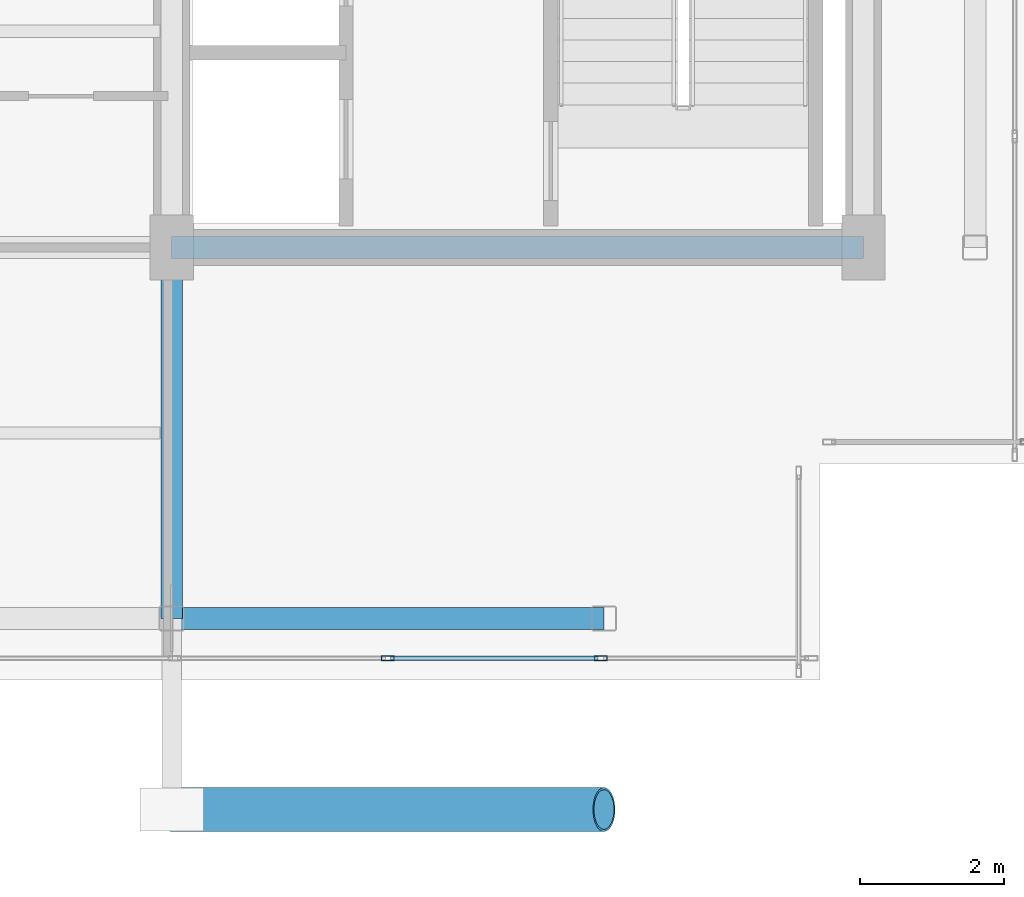
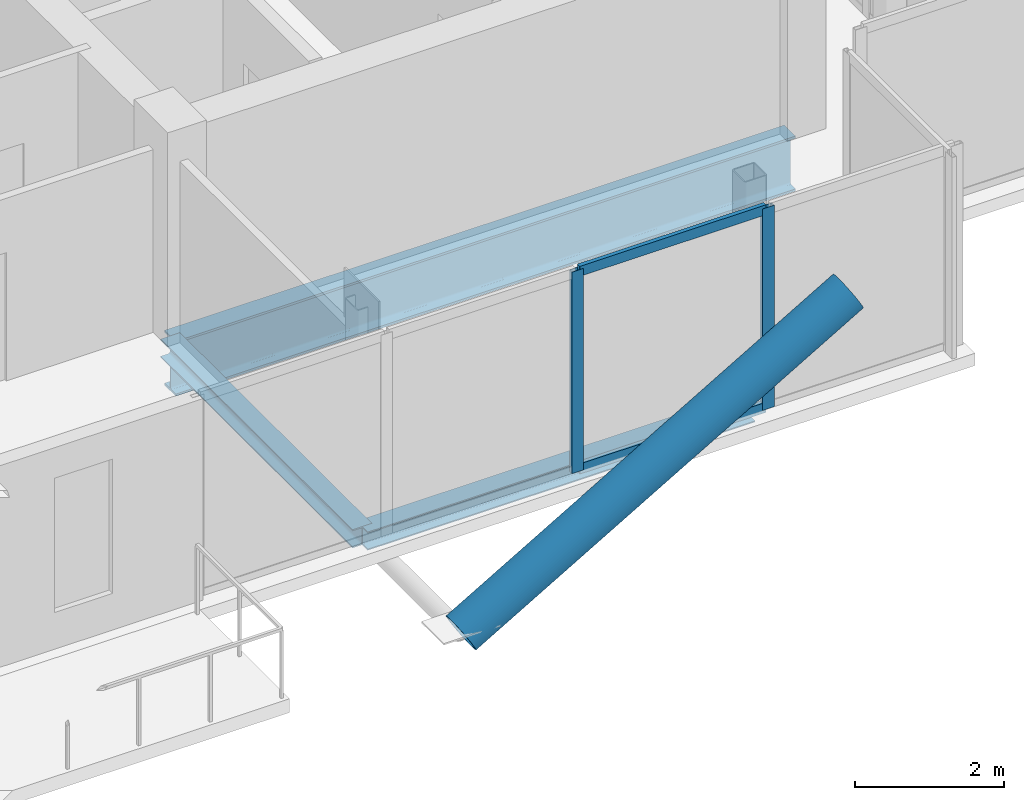
# One storey, part 5 of 18: 5 members, 3 beams, 1 element without a shape of its own.
"""IFC4 building model written with IfcOpenShell, lengths in metres."""

from ifc_helpers import new_model, si_unit, direction, frame, origin, origin_2d, place, context, subcontext, project, spatial, hollow_rectangle, hollow_circle, i_section, extrude, material, layer, layer_set, material_profile, profile_set, type_object, element, aggregate, save


model = new_model("IFC4")

# Units and contexts
model_context = context("Model", 3, precision=1e-05, world=origin(), true_north=direction((0.0, 1.0)))
body_context = subcontext(model_context, "Body", "Model", "MODEL_VIEW")
ifc_project = project(units=[si_unit("LENGTHUNIT", "METRE"), si_unit("AREAUNIT", "SQUARE_METRE"), si_unit("VOLUMEUNIT", "CUBIC_METRE"), si_unit("PLANEANGLEUNIT", "RADIAN"), si_unit("MASSUNIT", "GRAM", prefix="KILO"), si_unit("THERMODYNAMICTEMPERATUREUNIT", "KELVIN"), si_unit("POWERUNIT", "WATT")], contexts=[model_context])

# Site, building, storey
site_placement = place(None, origin())
site = spatial("IfcSite", under=ifc_project, at=site_placement, CompositionType="ELEMENT")
building_placement = place(site_placement, origin())
building = spatial("IfcBuilding", under=site, at=building_placement, Name="Svarakhadi Broadcast Tower", CompositionType="ELEMENT")
storey_placement = place(building_placement, frame((0.0, 0.0, 253.699951171875)))
storey = spatial("IfcBuildingStorey", under=building, at=storey_placement, Name="L63", CompositionType="ELEMENT", Elevation=253.699951171875)

# Curtain wall, members
ifc_material_1 = material(Name="Anodised Bronze Aluminium AA 6063-T6", Category="aluminium")
ifc_layer = layer(ifc_material_1, 0.179931640625)
ifc_layer_set = layer_set([ifc_layer], Name="Anodised Bronze Aluminium AA 6063-T6")
curtain_wall_type = type_object("IfcCurtainWallType", Name="CW_Sys_05", PredefinedType="NOTDEFINED", material=ifc_layer_set)
curtain_wall_placement = place(storey_placement, origin())
curtain_wall = element("IfcCurtainWall", 1, at=curtain_wall_placement, inside=storey, type_object=curtain_wall_type, Name="L63 South Curtain Wall 16", PredefinedType="NOTDEFINED")
ifc_material_profile_1 = material_profile(ifc_material_1, hollow_rectangle(XDim=0.070068359375, YDim=0.179931640625, WallThickness=0.005615234375, at=origin_2d()), Name="ALU MULLION 180x70x6")
ifc_profile_set_1 = profile_set([ifc_material_profile_1], Name="Anodised Bronze Aluminium AA 6063-T6")
member_type_1 = type_object("IfcMemberType", Name="CW_Sys_05_Mul", PredefinedType="MULLION", material=ifc_profile_set_1)
member_1_placement = place(storey_placement, frame((29.955078125, 0.300048828125, 0.0), z_axis=(0.0, 0.0, 1.0), x_axis=(0.0, -1.0, 0.0)))
member_1 = element("IfcMember", 2, at=member_1_placement, type_object=member_type_1, Name="CW-05 mullion 2", PredefinedType="MULLION", context=body_context, shape_type="SweptSolid", body=[
    extrude(hollow_rectangle(XDim=0.070068359375, YDim=0.179931640625, WallThickness=0.005615234375, at=origin_2d()), origin(), (0.0, 0.0, 1.0), 3.300048828125),
])
member_2_placement = place(storey_placement, frame((27.0, 0.300048828125, 0.0), z_axis=(0.0, 0.0, 1.0), x_axis=(0.0, -1.0, 0.0)))
member_2 = element("IfcMember", 3, at=member_2_placement, type_object=member_type_1, Name="CW-05 mullion 3", PredefinedType="MULLION", context=body_context, shape_type="SweptSolid", body=[
    extrude(hollow_rectangle(XDim=0.070068359375, YDim=0.179931640625, WallThickness=0.005615234375, at=origin_2d()), origin(), (0.0, 0.0, 1.0), 3.300048828125),
])
ifc_material_profile_2 = material_profile(ifc_material_1, hollow_rectangle(XDim=0.06494140625, YDim=0.1650390625, WallThickness=0.0048828125, at=origin_2d()), Name="ALU TRANSOM 165x65x5")
ifc_profile_set_2 = profile_set([ifc_material_profile_2], Name="Anodised Bronze Aluminium AA 6063-T6")
member_type_2 = type_object("IfcMemberType", Name="CW_Sys_05_Trn", PredefinedType="USERDEFINED", material=ifc_profile_set_2)
member_3_placement = place(storey_placement, frame((29.919921875, 0.300048828125, 0.032470703125), z_axis=(-1.0, 0.0, 0.0), x_axis=(0.0, -1.0, 0.0)))
member_3 = element("IfcMember", 4, at=member_3_placement, type_object=member_type_2, Name="CW-05 transom 2.1", ObjectType="TRANSOM", PredefinedType="USERDEFINED", context=body_context, shape_type="SweptSolid", body=[
    extrude(hollow_rectangle(XDim=0.06494140625, YDim=0.1650390625, WallThickness=0.0048828125, at=origin_2d()), origin(), (0.0, 0.0, 1.0), 2.885009765625),
])
member_4_placement = place(storey_placement, frame((29.919921875, 0.300048828125, 3.267578125), z_axis=(-1.0, 0.0, 0.0), x_axis=(0.0, -1.0, 0.0)))
member_4 = element("IfcMember", 5, at=member_4_placement, type_object=member_type_2, Name="CW-05 transom 2.2", ObjectType="TRANSOM", PredefinedType="USERDEFINED", context=body_context, shape_type="SweptSolid", body=[
    extrude(hollow_rectangle(XDim=0.06494140625, YDim=0.1650390625, WallThickness=0.0048828125, at=origin_2d()), origin(), (0.0, 0.0, 1.0), 2.885009765625),
])
aggregate(curtain_wall, [member_1, member_2, member_3, member_4])

# Member
ifc_material_2 = material(Name="Steel S460ML (IS 2062 E450BR)", Category="steel")
ifc_material_profile_3 = material_profile(ifc_material_2, hollow_circle(Radius=0.304931640625, WallThickness=0.030029296875, at=origin_2d()), Name="CHS 610x30")
ifc_profile_set_3 = profile_set([ifc_material_profile_3], Name="Steel S460ML (IS 2062 E450BR)")
member_type_3 = type_object("IfcMemberType", Name="Exo_Brace_CHS610", PredefinedType="BRACE", material=ifc_profile_set_3)
member_5_placement = place(storey_placement, frame((24.0, -1.800048828125, -0.33642578125), z_axis=(0.863778900898, 0.0, 0.503871025524), x_axis=(0.0, 1.0, 0.0)))
element("IfcMember", 6, at=member_5_placement, inside=storey, type_object=member_type_3, Name="L63 Exposed Bronze Exoskeleton Diagonal S01", PredefinedType="BRACE", context=body_context, shape_type="SweptSolid", body=[
    extrude(hollow_circle(Radius=0.304931640625, WallThickness=0.030029296875, at=origin_2d()), origin(), (0.0, 0.0, 1.0), 6.9462890625),
])

# Beams
ifc_material_3 = material(Name="Steel S355J2 (IS 2062 E350C)", Category="steel")
ifc_material_profile_4 = material_profile(ifc_material_3, i_section(OverallWidth=0.300048828125, OverallDepth=0.300048828125, WebThickness=0.010986328125, FlangeThickness=0.01904296875, FilletRadius=0.027099609375, at=origin_2d()), Name="WPB 300x300x117")
ifc_profile_set_4 = profile_set([ifc_material_profile_4], Name="Steel S355J2 (IS 2062 E350C)")
beam_type_1 = type_object("IfcBeamType", Name="Girder_WPB300", PredefinedType="USERDEFINED", material=ifc_profile_set_4)
beam_1_placement = place(storey_placement, frame((24.0, 0.85009765625, -0.349853515625), z_axis=(1.0, 0.0, 0.0), x_axis=(0.0, 1.0, 0.0)))
element("IfcBeam", 7, at=beam_1_placement, inside=storey, type_object=beam_type_1, Name="L63 Primary E-W Girder G007", ObjectType="GIRDER", PredefinedType="USERDEFINED", context=body_context, shape_type="SweptSolid", body=[
    extrude(i_section(OverallWidth=0.300048828125, OverallDepth=0.300048828125, WebThickness=0.010986328125, FlangeThickness=0.01904296875, FilletRadius=0.027099609375, at=origin_2d()), origin(), (0.0, 0.0, 1.0), 6.0),
])
beam_2_placement = place(storey_placement, frame((24.0, 0.85009765625, -0.349853515625), z_axis=(0.0, 1.0, 0.0), x_axis=(-1.0, 0.0, 0.0)))
element("IfcBeam", 8, at=beam_2_placement, inside=storey, type_object=beam_type_1, Name="L63 Primary N-S Girder G040", ObjectType="GIRDER", PredefinedType="USERDEFINED", context=body_context, shape_type="SweptSolid", body=[
    extrude(i_section(OverallWidth=0.300048828125, OverallDepth=0.300048828125, WebThickness=0.010986328125, FlangeThickness=0.01904296875, FilletRadius=0.027099609375, at=origin_2d()), origin(), (0.0, 0.0, 1.0), 5.14990234375),
])
ifc_material_profile_5 = material_profile(ifc_material_2, i_section(OverallWidth=0.300048828125, OverallDepth=0.89990234375, WebThickness=0.0185546875, FlangeThickness=0.034912109375, FilletRadius=0.030029296875, at=origin_2d()), Name="WPB 900x300x291")
ifc_profile_set_5 = profile_set([ifc_material_profile_5], Name="Steel S460ML (IS 2062 E450BR)")
beam_type_2 = type_object("IfcBeamType", Name="Girder_WPB900", PredefinedType="USERDEFINED", material=ifc_profile_set_5)
beam_3_placement = place(storey_placement, frame((24.0, 6.0, -0.64990234375), z_axis=(1.0, 0.0, 0.0), x_axis=(0.0, 1.0, 0.0)))
element("IfcBeam", 9, at=beam_3_placement, inside=storey, type_object=beam_type_2, Name="L63 Primary E-W Girder G012", ObjectType="GIRDER", PredefinedType="USERDEFINED", context=body_context, shape_type="SweptSolid", body=[
    extrude(i_section(OverallWidth=0.300048828125, OverallDepth=0.89990234375, WebThickness=0.0185546875, FlangeThickness=0.034912109375, FilletRadius=0.030029296875, at=origin_2d()), origin(), (0.0, 0.0, 1.0), 9.60009765625),
])

save(model, "model.ifc")
